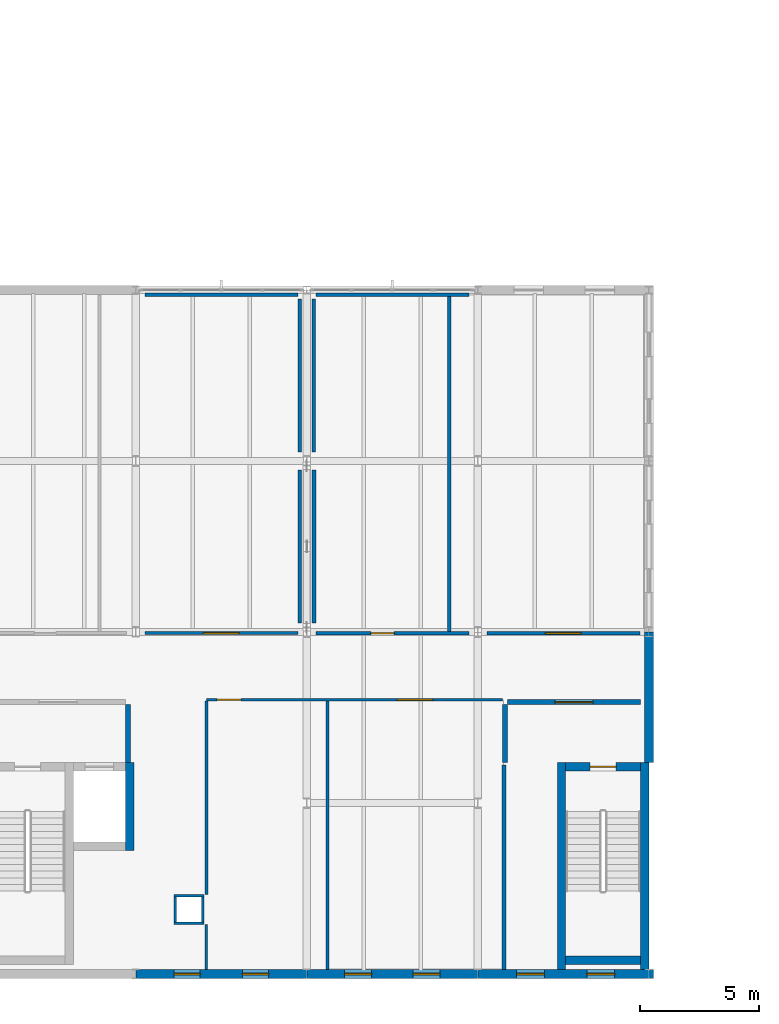
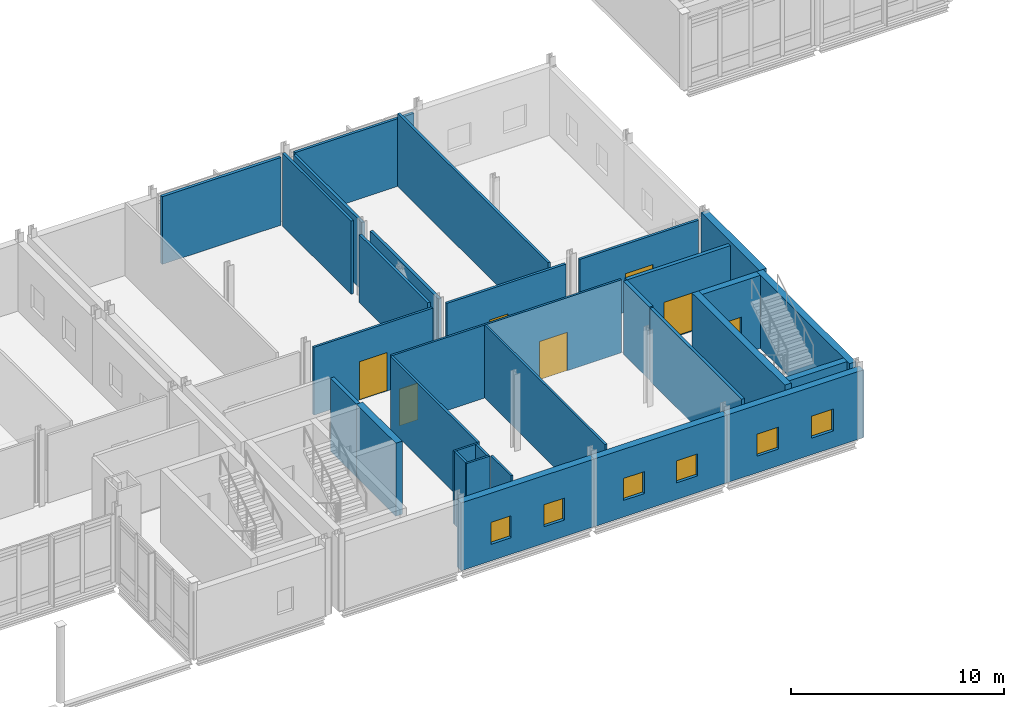
# One storey, part 56 of 76: 31 walls, 7 doors, 6 windows, 13 openings.
"""IFC4 building model written with IfcOpenShell, lengths in metres."""

from ifc_helpers import new_model, si_unit, direction, frame, frame_2d, origin, place, context, subcontext, project, spatial, rectangle, extrude, material, layer, layer_set, type_object, element, fill, save


model = new_model("IFC4")

# Units and contexts
model_context = context("Model", 3, precision=1e-05, world=origin(), true_north=direction((0.0, 1.0)))
body_context = subcontext(model_context, "Body", "Model", "MODEL_VIEW")
ifc_project = project(units=[si_unit("LENGTHUNIT", "METRE"), si_unit("AREAUNIT", "SQUARE_METRE"), si_unit("VOLUMEUNIT", "CUBIC_METRE"), si_unit("PLANEANGLEUNIT", "RADIAN"), si_unit("MASSUNIT", "GRAM", prefix="KILO")], contexts=[model_context])

# Site, building, storey
site_placement = place(None, origin())
site = spatial("IfcSite", under=ifc_project, at=site_placement, CompositionType="ELEMENT")
building_placement = place(site_placement, origin())
building = spatial("IfcBuilding", under=site, at=building_placement, Name="Zarrinpeak Specialist Clinic", CompositionType="ELEMENT")
storey_placement = place(building_placement, frame((0.0, 0.0, 5.199951171875)))
storey = spatial("IfcBuildingStorey", under=building, at=storey_placement, Name="L01", CompositionType="ELEMENT", Elevation=5.199951171875)

# Walls
ifc_material_1 = material(Name="Concrete C40/50", Category="concrete")
ifc_layer_1 = layer(ifc_material_1, 0.35009765625)
ifc_layer_set_1 = layer_set([ifc_layer_1], Name="Concrete C40/50")
wall_type_1 = type_object("IfcWallType", Name="WL-CR350", PredefinedType="SHEAR", material=ifc_layer_set_1)
wall_1_placement = place(storey_placement, frame((64.544921875, 5.199951171875, 0.0), z_axis=(0.0, 0.0, 1.0), x_axis=(0.0, 1.0, 0.0)))
element("IfcWall", 1, at=wall_1_placement, inside=storey, type_object=wall_type_1, Name="L01 Lift LF-P4 Shaft Wall LFE", PredefinedType="SHEAR", context=body_context, shape_type="SweptSolid", body=[
    extrude(rectangle(XDim=3.699951171875, YDim=0.35009765625, at=frame_2d((1.85009765625, 0.0))), origin(), (0.0, 0.0, 1.0), 4.18505859375),
])
wall_2_placement = place(storey_placement, frame((82.89990234375, 0.574951171875, 0.0), z_axis=(0.0, 0.0, 1.0), x_axis=(1.0, 0.0, 0.0)))
element("IfcWall", 2, at=wall_2_placement, inside=storey, type_object=wall_type_1, Name="L01 Core C08 Shear Wall STS", PredefinedType="SHEAR", context=body_context, shape_type="SweptSolid", body=[
    extrude(rectangle(XDim=3.150146484375, YDim=0.35009765625, at=frame_2d((1.5751953125, 0.0))), origin(), (0.0, 0.0, 1.0), 4.18505859375),
])

# Wall, opening, door
wall_3_placement = place(storey_placement, frame((82.89990234375, 8.72509765625, 0.0), z_axis=(0.0, 0.0, 1.0), x_axis=(1.0, 0.0, 0.0)))
wall_3 = element("IfcWall", 3, at=wall_3_placement, inside=storey, type_object=wall_type_1, Name="L01 Core C08 Shear Wall STN", PredefinedType="SHEAR", context=body_context, shape_type="SweptSolid", body=[
    extrude(rectangle(XDim=3.150146484375, YDim=0.35009765625, at=frame_2d((1.5751953125, 0.0))), origin(), (0.0, 0.0, 1.0), 4.18505859375),
])
opening_1_placement = place(wall_3_placement, frame((1.02490234375, 0.0, 0.0)))
opening_1 = element("IfcOpeningElement", 4, at=opening_1_placement, cuts=wall_3, Name="Opening D-S02", PredefinedType="OPENING", context=body_context, shape_type="SweptSolid", body=[
    extrude(rectangle(XDim=1.10009765625, YDim=2.14990234375, at=frame_2d((0.550048828125, 1.074951171875))), frame((0.0, 0.18505859375, 0.0), z_axis=(0.0, -1.0, 0.0), x_axis=(1.0, 0.0, 0.0)), (0.0, 0.0, 1.0), 0.3701171875),
])
ifc_material_2 = material(Name="Powder-Coated Galvanised Steel", Category="steel")
door_type_1 = type_object("IfcDoorType", Name="DR-FD110", OperationType="SINGLE_SWING_RIGHT", PredefinedType="DOOR", material=ifc_material_2)
door_1_placement = place(opening_1_placement, frame((1.10009765625, 0.0, 0.0), z_axis=(0.0, 0.0, 1.0), x_axis=(-1.0, 0.0, 0.0)))
door_1 = element("IfcDoor", 5, at=door_1_placement, inside=storey, type_object=door_type_1, Name="L01 Protected Stair ST-08 Fire Door", OperationType="SINGLE_SWING_RIGHT", OverallHeight=2.14990234375, OverallWidth=1.10009765625, PredefinedType="DOOR", context=body_context, shape_type="SweptSolid", body=[
    extrude(rectangle(XDim=1.10009765625, YDim=2.14990234375, at=frame_2d((0.550048828125, 1.074951171875))), frame((0.0, 0.02490234375, 0.0), z_axis=(0.0, -1.0, 0.0), x_axis=(1.0, 0.0, 0.0)), (0.0, 0.0, 1.0), 0.050048828125),
])
fill(opening_1, door_1)

# Walls
for number, where, z_axis, x_axis, name in (
    (6, (82.72509765625, 0.18994140625, 0.0), (0.0, 0.0, 1.0), (0.0, 1.0, 0.0), "L01 Core C08 Shear Wall STW"),
    (7, (86.22509765625, 0.18994140625, 0.0), (0.0, 0.0, 1.0), (0.0, 1.0, 0.0), "L01 Core C08 Shear Wall STE"),
):
    element("IfcWall", number, at=place(storey_placement, frame(where, z_axis=z_axis, x_axis=x_axis)), inside=storey, type_object=wall_type_1, Name=name, PredefinedType="SHEAR", context=body_context, shape_type="SweptSolid", body=[
        extrude(rectangle(XDim=8.7099609375, YDim=0.35009765625, at=frame_2d((4.35498046875, 0.0))), origin(), (0.0, 0.0, 1.0), 4.18505859375),
    ])

# Wall, openings, windows
ifc_material_3 = material(Name="Precast concrete C40/50", Category="concrete")
ifc_layer_2 = layer(ifc_material_3, 0.3798828125)
ifc_layer_set_2 = layer_set([ifc_layer_2], Name="Precast concrete C40/50")
wall_type_2 = type_object("IfcWallType", Name="WL-EW380", PredefinedType="STANDARD", material=ifc_layer_set_2)
wall_4_placement = place(storey_placement, frame((64.800048828125, 0.0, 0.0), z_axis=(0.0, 0.0, 1.0), x_axis=(1.0, 0.0, 0.0)))
wall_4 = element("IfcWall", 8, at=wall_4_placement, inside=storey, type_object=wall_type_2, Name="L01 V4 Exterior GRC Wall EW-L01-V4-0165", PredefinedType="STANDARD", context=body_context, shape_type="SweptSolid", body=[
    extrude(rectangle(XDim=7.199951171875, YDim=0.3798828125, at=frame_2d((3.60009765625, 0.0))), origin(), (0.0, 0.0, 1.0), 3.880126953125),
])
opening_2_placement = place(wall_4_placement, frame((1.611083984375, 0.0, 0.949951171875)))
opening_2 = element("IfcOpeningElement", 9, at=opening_2_placement, cuts=wall_4, Name="Opening WS-08", PredefinedType="OPENING", context=body_context, shape_type="SweptSolid", body=[
    extrude(rectangle(XDim=1.097900390625, YDim=1.260009765625, at=frame_2d((0.548828125, 0.6298828125))), frame((0.0, 0.199951171875, 0.0), z_axis=(0.0, -1.0, 0.0), x_axis=(1.0, 0.0, 0.0)), (0.0, 0.0, 1.0), 0.39990234375),
])
opening_3_placement = place(wall_4_placement, frame((4.490966796875, 0.0, 0.949951171875)))
opening_3 = element("IfcOpeningElement", 10, at=opening_3_placement, cuts=wall_4, Name="Opening WS-08", PredefinedType="OPENING", context=body_context, shape_type="SweptSolid", body=[
    extrude(rectangle(XDim=1.097900390625, YDim=1.260009765625, at=frame_2d((0.548828125, 0.6298828125))), frame((0.0, 0.199951171875, 0.0), z_axis=(0.0, -1.0, 0.0), x_axis=(1.0, 0.0, 0.0)), (0.0, 0.0, 1.0), 0.39990234375),
])
ifc_material_4 = material(Name="Thermally Broken Aluminium and Low-E Glazing", Category="aluminium")
window_type_1 = type_object("IfcWindowType", Name="WN-SP08", PartitioningType="SINGLE_PANEL", PredefinedType="WINDOW", material=ifc_material_4)
window_1_placement = place(opening_2_placement, origin())
window_1 = element("IfcWindow", 11, at=window_1_placement, inside=storey, type_object=window_type_1, Name="L01 Modular Facade Window WN-L01-0194", OverallHeight=1.260009765625, OverallWidth=1.097900390625, PartitioningType="SINGLE_PANEL", PredefinedType="WINDOW", context=body_context, shape_type="SweptSolid", body=[
    extrude(rectangle(XDim=1.097900390625, YDim=1.260009765625, at=frame_2d((0.548828125, 0.6298828125))), frame((0.0, 0.030029296875, 0.0), z_axis=(0.0, -1.0, 0.0), x_axis=(1.0, 0.0, 0.0)), (0.0, 0.0, 1.0), 0.06005859375),
])
fill(opening_2, window_1)
window_2_placement = place(opening_3_placement, origin())
window_2 = element("IfcWindow", 12, at=window_2_placement, inside=storey, type_object=window_type_1, Name="L01 Modular Facade Window WN-L01-0195", OverallHeight=1.260009765625, OverallWidth=1.097900390625, PartitioningType="SINGLE_PANEL", PredefinedType="WINDOW", context=body_context, shape_type="SweptSolid", body=[
    extrude(rectangle(XDim=1.097900390625, YDim=1.260009765625, at=frame_2d((0.548828125, 0.6298828125))), frame((0.0, 0.030029296875, 0.0), z_axis=(0.0, -1.0, 0.0), x_axis=(1.0, 0.0, 0.0)), (0.0, 0.0, 1.0), 0.06005859375),
])
fill(opening_3, window_2)

wall_5_placement = place(storey_placement, frame((72.0, 0.0, 0.0), z_axis=(0.0, 0.0, 1.0), x_axis=(1.0, 0.0, 0.0)))
wall_5 = element("IfcWall", 13, at=wall_5_placement, inside=storey, type_object=wall_type_2, Name="L01 V4 Exterior GRC Wall EW-L01-V4-0166", PredefinedType="STANDARD", context=body_context, shape_type="SweptSolid", body=[
    extrude(rectangle(XDim=7.199951171875, YDim=0.3798828125, at=frame_2d((3.60009765625, 0.0))), origin(), (0.0, 0.0, 1.0), 3.880126953125),
])
opening_4_placement = place(wall_5_placement, frame((1.593994140625, 0.0, 0.949951171875)))
opening_4 = element("IfcOpeningElement", 14, at=opening_4_placement, cuts=wall_5, Name="Opening WS-09", PredefinedType="OPENING", context=body_context, shape_type="SweptSolid", body=[
    extrude(rectangle(XDim=1.132080078125, YDim=1.260009765625, at=frame_2d((0.56591796875, 0.6298828125))), frame((0.0, 0.199951171875, 0.0), z_axis=(0.0, -1.0, 0.0), x_axis=(1.0, 0.0, 0.0)), (0.0, 0.0, 1.0), 0.39990234375),
])
opening_5_placement = place(wall_5_placement, frame((4.47412109375, 0.0, 0.949951171875)))
opening_5 = element("IfcOpeningElement", 15, at=opening_5_placement, cuts=wall_5, Name="Opening WS-09", PredefinedType="OPENING", context=body_context, shape_type="SweptSolid", body=[
    extrude(rectangle(XDim=1.132080078125, YDim=1.260009765625, at=frame_2d((0.56591796875, 0.6298828125))), frame((0.0, 0.199951171875, 0.0), z_axis=(0.0, -1.0, 0.0), x_axis=(1.0, 0.0, 0.0)), (0.0, 0.0, 1.0), 0.39990234375),
])
window_type_2 = type_object("IfcWindowType", Name="WN-SP09", PartitioningType="SINGLE_PANEL", PredefinedType="WINDOW", material=ifc_material_4)
window_3_placement = place(opening_4_placement, origin())
window_3 = element("IfcWindow", 16, at=window_3_placement, inside=storey, type_object=window_type_2, Name="L01 Modular Facade Window WN-L01-0196", OverallHeight=1.260009765625, OverallWidth=1.132080078125, PartitioningType="SINGLE_PANEL", PredefinedType="WINDOW", context=body_context, shape_type="SweptSolid", body=[
    extrude(rectangle(XDim=1.132080078125, YDim=1.260009765625, at=frame_2d((0.56591796875, 0.6298828125))), frame((0.0, 0.030029296875, 0.0), z_axis=(0.0, -1.0, 0.0), x_axis=(1.0, 0.0, 0.0)), (0.0, 0.0, 1.0), 0.06005859375),
])
fill(opening_4, window_3)
window_4_placement = place(opening_5_placement, origin())
window_4 = element("IfcWindow", 17, at=window_4_placement, inside=storey, type_object=window_type_2, Name="L01 Modular Facade Window WN-L01-0197", OverallHeight=1.260009765625, OverallWidth=1.132080078125, PartitioningType="SINGLE_PANEL", PredefinedType="WINDOW", context=body_context, shape_type="SweptSolid", body=[
    extrude(rectangle(XDim=1.132080078125, YDim=1.260009765625, at=frame_2d((0.56591796875, 0.6298828125))), frame((0.0, 0.030029296875, 0.0), z_axis=(0.0, -1.0, 0.0), x_axis=(1.0, 0.0, 0.0)), (0.0, 0.0, 1.0), 0.06005859375),
])
fill(opening_5, window_4)

wall_6_placement = place(storey_placement, frame((79.199951171875, 0.0, 0.0), z_axis=(0.0, 0.0, 1.0), x_axis=(1.0, 0.0, 0.0)))
wall_6 = element("IfcWall", 18, at=wall_6_placement, inside=storey, type_object=wall_type_2, Name="L01 V4 Exterior GRC Wall EW-L01-V4-0167", PredefinedType="STANDARD", context=body_context, shape_type="SweptSolid", body=[
    extrude(rectangle(XDim=7.39013671875, YDim=0.3798828125, at=frame_2d((3.695068359375, 0.0))), origin(), (0.0, 0.0, 1.0), 3.880126953125),
])
opening_6_placement = place(wall_6_placement, frame((1.634033203125, 0.0, 0.949951171875)))
opening_6 = element("IfcOpeningElement", 19, at=opening_6_placement, cuts=wall_6, Name="Opening WS-10", PredefinedType="OPENING", context=body_context, shape_type="SweptSolid", body=[
    extrude(rectangle(XDim=1.166015625, YDim=1.260009765625, at=frame_2d((0.5830078125, 0.6298828125))), frame((0.0, 0.199951171875, 0.0), z_axis=(0.0, -1.0, 0.0), x_axis=(1.0, 0.0, 0.0)), (0.0, 0.0, 1.0), 0.39990234375),
])
opening_7_placement = place(wall_6_placement, frame((4.590087890625, 0.0, 0.949951171875)))
opening_7 = element("IfcOpeningElement", 20, at=opening_7_placement, cuts=wall_6, Name="Opening WS-10", PredefinedType="OPENING", context=body_context, shape_type="SweptSolid", body=[
    extrude(rectangle(XDim=1.166015625, YDim=1.260009765625, at=frame_2d((0.5830078125, 0.6298828125))), frame((0.0, 0.199951171875, 0.0), z_axis=(0.0, -1.0, 0.0), x_axis=(1.0, 0.0, 0.0)), (0.0, 0.0, 1.0), 0.39990234375),
])
window_type_3 = type_object("IfcWindowType", Name="WN-SP10", PartitioningType="SINGLE_PANEL", PredefinedType="WINDOW", material=ifc_material_4)
window_5_placement = place(opening_6_placement, origin())
window_5 = element("IfcWindow", 21, at=window_5_placement, inside=storey, type_object=window_type_3, Name="L01 Modular Facade Window WN-L01-0198", OverallHeight=1.260009765625, OverallWidth=1.166015625, PartitioningType="SINGLE_PANEL", PredefinedType="WINDOW", context=body_context, shape_type="SweptSolid", body=[
    extrude(rectangle(XDim=1.166015625, YDim=1.260009765625, at=frame_2d((0.5830078125, 0.6298828125))), frame((0.0, 0.030029296875, 0.0), z_axis=(0.0, -1.0, 0.0), x_axis=(1.0, 0.0, 0.0)), (0.0, 0.0, 1.0), 0.06005859375),
])
fill(opening_6, window_5)
window_6_placement = place(opening_7_placement, origin())
window_6 = element("IfcWindow", 22, at=window_6_placement, inside=storey, type_object=window_type_3, Name="L01 Modular Facade Window WN-L01-0199", OverallHeight=1.260009765625, OverallWidth=1.166015625, PartitioningType="SINGLE_PANEL", PredefinedType="WINDOW", context=body_context, shape_type="SweptSolid", body=[
    extrude(rectangle(XDim=1.166015625, YDim=1.260009765625, at=frame_2d((0.5830078125, 0.6298828125))), frame((0.0, 0.030029296875, 0.0), z_axis=(0.0, -1.0, 0.0), x_axis=(1.0, 0.0, 0.0)), (0.0, 0.0, 1.0), 0.06005859375),
])
fill(opening_7, window_6)

# Walls
wall_7_placement = place(storey_placement, frame((86.39990234375, 8.89990234375, 0.0), z_axis=(0.0, 0.0, 1.0), x_axis=(0.0, 1.0, 0.0)))
element("IfcWall", 23, at=wall_7_placement, inside=storey, type_object=wall_type_2, Name="L01 V4 Exterior GRC Wall EW-L01-V4-0174", PredefinedType="STANDARD", context=body_context, shape_type="SweptSolid", body=[
    extrude(rectangle(XDim=5.5, YDim=0.3798828125, at=frame_2d((2.75, 0.0))), origin(), (0.0, 0.0, 1.0), 4.18505859375),
])
ifc_material_5 = material(Name="Sanitary Service Chase Plumbing Wall", Category="gypsum")
ifc_layer_3 = layer(ifc_material_5, 0.110107421875)
ifc_layer_set_3 = layer_set([ifc_layer_3], Name="Sanitary Service Chase Plumbing Wall")
wall_type_3 = type_object("IfcWallType", Name="WL-IW110", PredefinedType="PARTITIONING", material=ifc_layer_set_3)
for number, where, z_axis, x_axis, name in (
    (24, (66.409912109375, 2.14501953125, 0.0), (0.0, 0.0, 1.0), (1.0, 0.0, 0.0), "L01 V4 Enclosed MEP Service Riser Wall S"),
    (25, (66.409912109375, 3.304931640625, 0.0), (0.0, 0.0, 1.0), (1.0, 0.0, 0.0), "L01 V4 Enclosed MEP Service Riser Wall N"),
):
    element("IfcWall", number, at=place(storey_placement, frame(where, z_axis=z_axis, x_axis=x_axis)), inside=storey, type_object=wall_type_3, Name=name, PredefinedType="PARTITIONING", context=body_context, shape_type="SweptSolid", body=[
        extrude(rectangle(XDim=1.27001953125, YDim=0.110107421875, at=frame_2d((0.635009765625, 0.0))), origin(), (0.0, 0.0, 1.0), 4.18505859375),
    ])
for number, where, z_axis, x_axis, name in (
    (26, (66.465087890625, 2.199951171875, 0.0), (0.0, 0.0, 1.0), (0.0, 1.0, 0.0), "L01 V4 Enclosed MEP Service Riser Wall W"),
    (27, (67.625, 2.199951171875, 0.0), (0.0, 0.0, 1.0), (0.0, 1.0, 0.0), "L01 V4 Enclosed MEP Service Riser Wall E"),
):
    element("IfcWall", number, at=place(storey_placement, frame(where, z_axis=z_axis, x_axis=x_axis)), inside=storey, type_object=wall_type_3, Name=name, PredefinedType="PARTITIONING", context=body_context, shape_type="SweptSolid", body=[
        extrude(rectangle(XDim=1.050048828125, YDim=0.110107421875, at=frame_2d((0.52490234375, 0.0))), origin(), (0.0, 0.0, 1.0), 4.18505859375),
    ])

# Wall, openings, doors
wall_8_placement = place(storey_placement, frame((67.77001953125, 11.550048828125, 0.0), z_axis=(0.0, 0.0, 1.0), x_axis=(1.0, 0.0, 0.0)))
wall_8 = element("IfcWall", 28, at=wall_8_placement, inside=storey, type_object=wall_type_3, Name="L01 Accessible Recovery WC Partition", PredefinedType="PARTITIONING", context=body_context, shape_type="SweptSolid", body=[
    extrude(rectangle(XDim=12.4599609375, YDim=0.110107421875, at=frame_2d((6.22998046875, 0.0))), origin(), (0.0, 0.0, 1.0), 4.18505859375),
])
opening_8_placement = place(wall_8_placement, frame((0.449951171875, 0.0, 0.0)))
opening_8 = element("IfcOpeningElement", 29, at=opening_8_placement, cuts=wall_8, Name="Opening D-W02", PredefinedType="OPENING", context=body_context, shape_type="SweptSolid", body=[
    extrude(rectangle(XDim=1.0, YDim=2.10009765625, at=frame_2d((0.5, 1.050048828125))), frame((0.0, 0.06494140625, 0.0), z_axis=(0.0, -1.0, 0.0), x_axis=(1.0, 0.0, 0.0)), (0.0, 0.0, 1.0), 0.130126953125),
])
opening_9_placement = place(wall_8_placement, frame((8.030029296875, 0.0, 0.0)))
opening_9 = element("IfcOpeningElement", 30, at=opening_9_placement, cuts=wall_8, Name="Opening D-B01", PredefinedType="OPENING", context=body_context, shape_type="SweptSolid", body=[
    extrude(rectangle(XDim=1.5, YDim=2.199951171875, at=frame_2d((0.75, 1.10009765625))), frame((0.0, 0.06494140625, 0.0), z_axis=(0.0, -1.0, 0.0), x_axis=(1.0, 0.0, 0.0)), (0.0, 0.0, 1.0), 0.130126953125),
])
door_type_2 = type_object("IfcDoorType", Name="DR-AWC100", OperationType="SLIDING_TO_LEFT", PredefinedType="DOOR", material=ifc_material_2)
door_2_placement = place(opening_8_placement, origin())
door_2 = element("IfcDoor", 31, at=door_2_placement, inside=storey, type_object=door_type_2, Name="L01 Accessible Recovery WC Door", OperationType="SLIDING_TO_LEFT", OverallHeight=2.10009765625, OverallWidth=1.0, PredefinedType="DOOR", context=body_context, shape_type="SweptSolid", body=[
    extrude(rectangle(XDim=1.0, YDim=2.10009765625, at=frame_2d((0.5, 1.050048828125))), frame((0.0, 0.02490234375, 0.0), z_axis=(0.0, -1.0, 0.0), x_axis=(1.0, 0.0, 0.0)), (0.0, 0.0, 1.0), 0.050048828125),
])
fill(opening_8, door_2)
door_type_3 = type_object("IfcDoorType", Name="DR-BED150", OperationType="DOUBLE_DOOR_SINGLE_SWING", PredefinedType="DOOR", material=ifc_material_2)
door_3_placement = place(opening_9_placement, origin())
door_3 = element("IfcDoor", 32, at=door_3_placement, inside=storey, type_object=door_type_3, Name="L01 Endoscopy Procedure Room 1 Door", OperationType="DOUBLE_DOOR_SINGLE_SWING", OverallHeight=2.199951171875, OverallWidth=1.5, PredefinedType="DOOR", context=body_context, shape_type="SweptSolid", body=[
    extrude(rectangle(XDim=1.5, YDim=2.199951171875, at=frame_2d((0.75, 1.10009765625))), frame((0.0, 0.02490234375, 0.0), z_axis=(0.0, -1.0, 0.0), x_axis=(1.0, 0.0, 0.0)), (0.0, 0.0, 1.0), 0.050048828125),
])
fill(opening_9, door_3)

# Walls
wall_9_placement = place(storey_placement, frame((67.77001953125, 0.199951171875, 0.0), z_axis=(0.0, 0.0, 1.0), x_axis=(0.0, 1.0, 0.0)))
element("IfcWall", 33, at=wall_9_placement, inside=storey, type_object=wall_type_3, Name="L01 Accessible Recovery WC Dividing Partition", PredefinedType="PARTITIONING", context=body_context, shape_type="SweptSolid", body=[
    extrude(rectangle(XDim=1.89013671875, YDim=0.110107421875, at=frame_2d((0.945068359375, 0.0))), origin(), (0.0, 0.0, 1.0), 4.18505859375),
])
wall_10_placement = place(storey_placement, frame((72.8701171875, 0.199951171875, 0.0), z_axis=(0.0, 0.0, 1.0), x_axis=(0.0, 1.0, 0.0)))
element("IfcWall", 34, at=wall_10_placement, inside=storey, type_object=wall_type_3, Name="L01 Accessible Recovery WC Dividing Partition", PredefinedType="PARTITIONING", context=body_context, shape_type="SweptSolid", body=[
    extrude(rectangle(XDim=11.295166015625, YDim=0.110107421875, at=frame_2d((5.6474609375, 0.0))), origin(), (0.0, 0.0, 1.0), 4.18505859375),
])

# Wall, opening, door
ifc_material_6 = material(Name="Moisture-Resistant Wet-Room Partition", Category="gypsum")
ifc_layer_4 = layer(ifc_material_6, 0.125)
ifc_layer_set_4 = layer_set([ifc_layer_4], Name="Moisture-Resistant Wet-Room Partition")
wall_type_4 = type_object("IfcWallType", Name="WL-IW125W", PredefinedType="PARTITIONING", material=ifc_layer_set_4)
wall_11_placement = place(storey_placement, frame((65.179931640625, 14.35009765625, 0.0), z_axis=(0.0, 0.0, 1.0), x_axis=(1.0, 0.0, 0.0)))
wall_11 = element("IfcWall", 35, at=wall_11_placement, inside=storey, type_object=wall_type_4, Name="L01 Staff Scrub WC Partition", PredefinedType="PARTITIONING", context=body_context, shape_type="SweptSolid", body=[
    extrude(rectangle(XDim=6.440185546875, YDim=0.125, at=frame_2d((3.22021484375, 0.0))), origin(), (0.0, 0.0, 1.0), 3.880126953125),
])
opening_10_placement = place(wall_11_placement, frame((2.469970703125, 0.0, 0.0)))
opening_10 = element("IfcOpeningElement", 36, at=opening_10_placement, cuts=wall_11, Name="Opening D-B01", PredefinedType="OPENING", context=body_context, shape_type="SweptSolid", body=[
    extrude(rectangle(XDim=1.5, YDim=2.199951171875, at=frame_2d((0.75, 1.10009765625))), frame((0.0, 0.072509765625, 0.0), z_axis=(0.0, -1.0, 0.0), x_axis=(1.0, 0.0, 0.0)), (0.0, 0.0, 1.0), 0.14501953125),
])
door_4_placement = place(opening_10_placement, frame((1.5, 0.0, 0.0), z_axis=(0.0, 0.0, 1.0), x_axis=(-1.0, 0.0, 0.0)))
door_4 = element("IfcDoor", 37, at=door_4_placement, inside=storey, type_object=door_type_3, Name="L01 Endoscopy Stage-1 Recovery Bay Door", OperationType="DOUBLE_DOOR_SINGLE_SWING", OverallHeight=2.199951171875, OverallWidth=1.5, PredefinedType="DOOR", context=body_context, shape_type="SweptSolid", body=[
    extrude(rectangle(XDim=1.5, YDim=2.199951171875, at=frame_2d((0.75, 1.10009765625))), frame((0.0, 0.02490234375, 0.0), z_axis=(0.0, -1.0, 0.0), x_axis=(1.0, 0.0, 0.0)), (0.0, 0.0, 1.0), 0.050048828125),
])
fill(opening_10, door_4)

# Wall
wall_12_placement = place(storey_placement, frame((67.77001953125, 3.360107421875, 0.0), z_axis=(0.0, 0.0, 1.0), x_axis=(0.0, 1.0, 0.0)))
element("IfcWall", 38, at=wall_12_placement, inside=storey, type_object=wall_type_4, Name="L01 Accessible Recovery WC Dividing Partition", PredefinedType="PARTITIONING", context=body_context, shape_type="SweptSolid", body=[
    extrude(rectangle(XDim=8.135009765625, YDim=0.125, at=frame_2d((4.0673828125, 0.0))), origin(), (0.0, 0.0, 1.0), 4.18505859375),
])

# Wall, opening, door
ifc_material_7 = material(Name="Standard Drywall Partition", Category="gypsum")
ifc_layer_5 = layer(ifc_material_7, 0.135009765625)
ifc_layer_set_5 = layer_set([ifc_layer_5], Name="Standard Drywall Partition")
wall_type_5 = type_object("IfcWallType", Name="WL-IW135", PredefinedType="PARTITIONING", material=ifc_layer_set_5)
wall_13_placement = place(storey_placement, frame((72.3798828125, 14.35009765625, 0.0), z_axis=(0.0, 0.0, 1.0), x_axis=(1.0, 0.0, 0.0)))
wall_13 = element("IfcWall", 39, at=wall_13_placement, inside=storey, type_object=wall_type_5, Name="L01 Scope Clean Utility Room Partition", PredefinedType="PARTITIONING", context=body_context, shape_type="SweptSolid", body=[
    extrude(rectangle(XDim=6.440185546875, YDim=0.135009765625, at=frame_2d((3.22021484375, 0.0))), origin(), (0.0, 0.0, 1.0), 3.880126953125),
])
opening_11_placement = place(wall_13_placement, frame((2.318115234375, 0.0, 0.0)))
opening_11 = element("IfcOpeningElement", 40, at=opening_11_placement, cuts=wall_13, Name="Opening DS-44", PredefinedType="OPENING", context=body_context, shape_type="SweptSolid", body=[
    extrude(rectangle(XDim=0.98388671875, YDim=2.1240234375, at=frame_2d((0.491943359375, 1.06201171875))), frame((0.0, 0.07763671875, 0.0), z_axis=(0.0, -1.0, 0.0), x_axis=(1.0, 0.0, 0.0)), (0.0, 0.0, 1.0), 0.155029296875),
])
door_type_4 = type_object("IfcDoorType", Name="DR-SP44", OperationType="SINGLE_SWING_LEFT", PredefinedType="DOOR", material=ifc_material_2)
door_5_placement = place(opening_11_placement, frame((0.98388671875, 0.0, 0.0), z_axis=(0.0, 0.0, 1.0), x_axis=(-1.0, 0.0, 0.0)))
door_5 = element("IfcDoor", 41, at=door_5_placement, inside=storey, type_object=door_type_4, Name="L01 Scope Clean Utility Room Door", OperationType="SINGLE_SWING_LEFT", OverallHeight=2.1240234375, OverallWidth=0.98388671875, PredefinedType="DOOR", context=body_context, shape_type="SweptSolid", body=[
    extrude(rectangle(XDim=0.98388671875, YDim=2.1240234375, at=frame_2d((0.491943359375, 1.06201171875))), frame((0.0, 0.02490234375, 0.0), z_axis=(0.0, -1.0, 0.0), x_axis=(1.0, 0.0, 0.0)), (0.0, 0.0, 1.0), 0.050048828125),
])
fill(opening_11, door_5)

wall_14_placement = place(storey_placement, frame((79.580078125, 14.35009765625, 0.0), z_axis=(0.0, 0.0, 1.0), x_axis=(1.0, 0.0, 0.0)))
wall_14 = element("IfcWall", 42, at=wall_14_placement, inside=storey, type_object=wall_type_5, Name="L01 Scope Clean Utility Room Partition", PredefinedType="PARTITIONING", context=body_context, shape_type="SweptSolid", body=[
    extrude(rectangle(XDim=6.43994140625, YDim=0.135009765625, at=frame_2d((3.219970703125, 0.0))), origin(), (0.0, 0.0, 1.0), 3.880126953125),
])
opening_12_placement = place(wall_14_placement, frame((2.469970703125, 0.0, 0.0)))
opening_12 = element("IfcOpeningElement", 43, at=opening_12_placement, cuts=wall_14, Name="Opening D-B01", PredefinedType="OPENING", context=body_context, shape_type="SweptSolid", body=[
    extrude(rectangle(XDim=1.5, YDim=2.199951171875, at=frame_2d((0.75, 1.10009765625))), frame((0.0, 0.07763671875, 0.0), z_axis=(0.0, -1.0, 0.0), x_axis=(1.0, 0.0, 0.0)), (0.0, 0.0, 1.0), 0.155029296875),
])
door_6_placement = place(opening_12_placement, frame((1.5, 0.0, 0.0), z_axis=(0.0, 0.0, 1.0), x_axis=(-1.0, 0.0, 0.0)))
door_6 = element("IfcDoor", 44, at=door_6_placement, inside=storey, type_object=door_type_3, Name="L01 Colonoscopy Procedure Room 2 Door", OperationType="DOUBLE_DOOR_SINGLE_SWING", OverallHeight=2.199951171875, OverallWidth=1.5, PredefinedType="DOOR", context=body_context, shape_type="SweptSolid", body=[
    extrude(rectangle(XDim=1.5, YDim=2.199951171875, at=frame_2d((0.75, 1.10009765625))), frame((0.0, 0.02490234375, 0.0), z_axis=(0.0, -1.0, 0.0), x_axis=(1.0, 0.0, 0.0)), (0.0, 0.0, 1.0), 0.050048828125),
])
fill(opening_12, door_6)

# Walls
wall_15_placement = place(storey_placement, frame((71.699951171875, 21.97998046875, 0.0), z_axis=(0.0, 0.0, 1.0), x_axis=(0.0, 1.0, 0.0)))
element("IfcWall", 45, at=wall_15_placement, inside=storey, type_object=wall_type_5, Name="L01 Endoscopy Stage-1 Recovery Bay Dividing Partition", PredefinedType="PARTITIONING", context=body_context, shape_type="SweptSolid", body=[
    extrude(rectangle(XDim=6.43994140625, YDim=0.135009765625, at=frame_2d((3.219970703125, 0.0))), origin(), (0.0, 0.0, 1.0), 4.18505859375),
])
wall_16_placement = place(storey_placement, frame((78.0, 14.41748046875, 0.0), z_axis=(0.0, 0.0, 1.0), x_axis=(0.0, 1.0, 0.0)))
element("IfcWall", 46, at=wall_16_placement, inside=storey, type_object=wall_type_5, Name="L01 Scope Clean Utility Room Dividing Partition", PredefinedType="PARTITIONING", context=body_context, shape_type="SweptSolid", body=[
    extrude(rectangle(XDim=14.111572265625, YDim=0.135009765625, at=frame_2d((7.0556640625, 0.0))), origin(), (0.0, 0.0, 1.0), 4.18505859375),
])
ifc_material_8 = material(Name="Acoustic Consultation Stud Partition", Category="gypsum")
ifc_layer_6 = layer(ifc_material_8, 0.14208984375)
ifc_layer_set_6 = layer_set([ifc_layer_6], Name="Acoustic Consultation Stud Partition")
wall_type_6 = type_object("IfcWallType", Name="WL-IW142", PredefinedType="PARTITIONING", material=ifc_layer_set_6)
wall_17_placement = place(storey_placement, frame((72.3798828125, 28.60009765625, 0.0), z_axis=(0.0, 0.0, 1.0), x_axis=(1.0, 0.0, 0.0)))
element("IfcWall", 47, at=wall_17_placement, inside=storey, type_object=wall_type_6, Name="L01 Scope Clean Utility Room Partition", PredefinedType="PARTITIONING", context=body_context, shape_type="SweptSolid", body=[
    extrude(rectangle(XDim=6.440185546875, YDim=0.14208984375, at=frame_2d((3.22021484375, 0.0))), origin(), (0.0, 0.0, 1.0), 3.880126953125),
])
wall_18_placement = place(storey_placement, frame((71.699951171875, 14.780029296875, 0.0), z_axis=(0.0, 0.0, 1.0), x_axis=(0.0, 1.0, 0.0)))
element("IfcWall", 48, at=wall_18_placement, inside=storey, type_object=wall_type_6, Name="L01 Endoscopy Stage-1 Recovery Bay Dividing Partition", PredefinedType="PARTITIONING", context=body_context, shape_type="SweptSolid", body=[
    extrude(rectangle(XDim=6.43994140625, YDim=0.14208984375, at=frame_2d((3.219970703125, 0.0))), origin(), (0.0, 0.0, 1.0), 3.880126953125),
])
ifc_material_9 = material(Name="Insulated Clinical Gypsum Stud Partition", Category="gypsum")
ifc_layer_7 = layer(ifc_material_9, 0.14990234375)
ifc_layer_set_7 = layer_set([ifc_layer_7], Name="Insulated Clinical Gypsum Stud Partition")
wall_type_7 = type_object("IfcWallType", Name="WL-IW150", PredefinedType="PARTITIONING", material=ifc_layer_set_7)
wall_19_placement = place(storey_placement, frame((72.300048828125, 21.97998046875, 0.0), z_axis=(0.0, 0.0, 1.0), x_axis=(0.0, 1.0, 0.0)))
element("IfcWall", 49, at=wall_19_placement, inside=storey, type_object=wall_type_7, Name="L01 Scope Clean Utility Room Dividing Partition", PredefinedType="PARTITIONING", context=body_context, shape_type="SweptSolid", body=[
    extrude(rectangle(XDim=6.43994140625, YDim=0.14990234375, at=frame_2d((3.219970703125, 0.0))), origin(), (0.0, 0.0, 1.0), 3.880126953125),
])
ifc_material_10 = material(Name="Acoustic Double Gypsum Stud Partition", Category="gypsum")
ifc_layer_8 = layer(ifc_material_10, 0.159912109375)
ifc_layer_set_8 = layer_set([ifc_layer_8], Name="Acoustic Double Gypsum Stud Partition")
wall_type_8 = type_object("IfcWallType", Name="WL-IW160", PredefinedType="PARTITIONING", material=ifc_layer_set_8)
wall_20_placement = place(storey_placement, frame((65.179931640625, 28.60009765625, 0.0), z_axis=(0.0, 0.0, 1.0), x_axis=(1.0, 0.0, 0.0)))
element("IfcWall", 50, at=wall_20_placement, inside=storey, type_object=wall_type_8, Name="L01 Endoscopy Stage-1 Recovery Bay Partition", PredefinedType="PARTITIONING", context=body_context, shape_type="SweptSolid", body=[
    extrude(rectangle(XDim=6.440185546875, YDim=0.159912109375, at=frame_2d((3.22021484375, 0.0))), origin(), (0.0, 0.0, 1.0), 3.880126953125),
])
wall_21_placement = place(storey_placement, frame((72.300048828125, 14.780029296875, 0.0), z_axis=(0.0, 0.0, 1.0), x_axis=(0.0, 1.0, 0.0)))
element("IfcWall", 51, at=wall_21_placement, inside=storey, type_object=wall_type_8, Name="L01 Scope Clean Utility Room Dividing Partition", PredefinedType="PARTITIONING", context=body_context, shape_type="SweptSolid", body=[
    extrude(rectangle(XDim=6.43994140625, YDim=0.159912109375, at=frame_2d((3.219970703125, 0.0))), origin(), (0.0, 0.0, 1.0), 3.880126953125),
])
wall_22_placement = place(storey_placement, frame((80.300048828125, 0.199951171875, 0.0), z_axis=(0.0, 0.0, 1.0), x_axis=(0.0, 1.0, 0.0)))
element("IfcWall", 52, at=wall_22_placement, inside=storey, type_object=wall_type_8, Name="L01 Endoscopy Procedure Room 1 Dividing Partition", PredefinedType="PARTITIONING", context=body_context, shape_type="SweptSolid", body=[
    extrude(rectangle(XDim=8.60009765625, YDim=0.159912109375, at=frame_2d((4.300048828125, 0.0))), origin(), (0.0, 0.0, 1.0), 4.18505859375),
])
ifc_material_11 = material(Name="Autoclaved Aerated Concrete Blockwork", Category="masonry")
ifc_layer_9 = layer(ifc_material_11, 0.199951171875)
ifc_layer_set_9 = layer_set([ifc_layer_9], Name="Autoclaved Aerated Concrete Blockwork")
wall_type_9 = type_object("IfcWallType", Name="WL-IW200", PredefinedType="PARTITIONING", material=ifc_layer_set_9)
wall_23_placement = place(storey_placement, frame((64.469970703125, 8.89990234375, 0.0), z_axis=(0.0, 0.0, 1.0), x_axis=(0.0, 1.0, 0.0)))
element("IfcWall", 53, at=wall_23_placement, inside=storey, type_object=wall_type_9, Name="L01 C07 Protected Lobby Partition LBE", PredefinedType="PARTITIONING", context=body_context, shape_type="SweptSolid", body=[
    extrude(rectangle(XDim=2.4501953125, YDim=0.199951171875, at=frame_2d((1.22509765625, 0.0))), origin(), (0.0, 0.0, 1.0), 4.18505859375),
])

# Wall, opening, door
wall_24_placement = place(storey_placement, frame((80.449951171875, 11.449951171875, 0.0), z_axis=(0.0, 0.0, 1.0), x_axis=(1.0, 0.0, 0.0)))
wall_24 = element("IfcWall", 54, at=wall_24_placement, inside=storey, type_object=wall_type_9, Name="L01 C08 Protected Lobby Partition LBF", PredefinedType="PARTITIONING", context=body_context, shape_type="SweptSolid", body=[
    extrude(rectangle(XDim=5.60009765625, YDim=0.199951171875, at=frame_2d((2.800048828125, 0.0))), origin(), (0.0, 0.0, 1.0), 4.18505859375),
])
opening_13_placement = place(wall_24_placement, frame((2.0, 0.0, 0.0)))
opening_13 = element("IfcOpeningElement", 55, at=opening_13_placement, cuts=wall_24, Name="Opening D-L01", PredefinedType="OPENING", context=body_context, shape_type="SweptSolid", body=[
    extrude(rectangle(XDim=1.60009765625, YDim=2.199951171875, at=frame_2d((0.800048828125, 1.10009765625))), frame((0.0, 0.10986328125, 0.0), z_axis=(0.0, -1.0, 0.0), x_axis=(1.0, 0.0, 0.0)), (0.0, 0.0, 1.0), 0.219970703125),
])
door_type_5 = type_object("IfcDoorType", Name="DR-LB160", OperationType="DOUBLE_DOOR_SINGLE_SWING", PredefinedType="DOOR", material=ifc_material_2)
door_7_placement = place(opening_13_placement, origin())
door_7 = element("IfcDoor", 56, at=door_7_placement, inside=storey, type_object=door_type_5, Name="L01 C08 Lobby Hold-Open Fire Door", OperationType="DOUBLE_DOOR_SINGLE_SWING", OverallHeight=2.199951171875, OverallWidth=1.60009765625, PredefinedType="DOOR", context=body_context, shape_type="SweptSolid", body=[
    extrude(rectangle(XDim=1.60009765625, YDim=2.199951171875, at=frame_2d((0.800048828125, 1.10009765625))), frame((0.0, 0.02490234375, 0.0), z_axis=(0.0, -1.0, 0.0), x_axis=(1.0, 0.0, 0.0)), (0.0, 0.0, 1.0), 0.050048828125),
])
fill(opening_13, door_7)

# Wall
wall_25_placement = place(storey_placement, frame((80.35009765625, 8.89990234375, 0.0), z_axis=(0.0, 0.0, 1.0), x_axis=(0.0, 1.0, 0.0)))
element("IfcWall", 57, at=wall_25_placement, inside=storey, type_object=wall_type_9, Name="L01 C08 Protected Lobby Partition LBW", PredefinedType="PARTITIONING", context=body_context, shape_type="SweptSolid", body=[
    extrude(rectangle(XDim=2.4501953125, YDim=0.199951171875, at=frame_2d((1.22509765625, 0.0))), origin(), (0.0, 0.0, 1.0), 4.18505859375),
])

save(model, "model.ifc")
